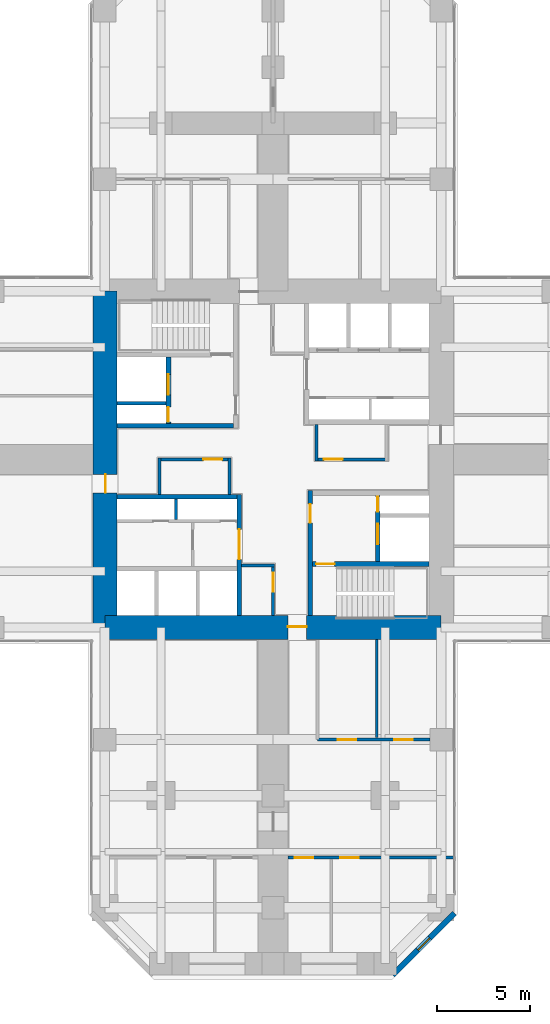
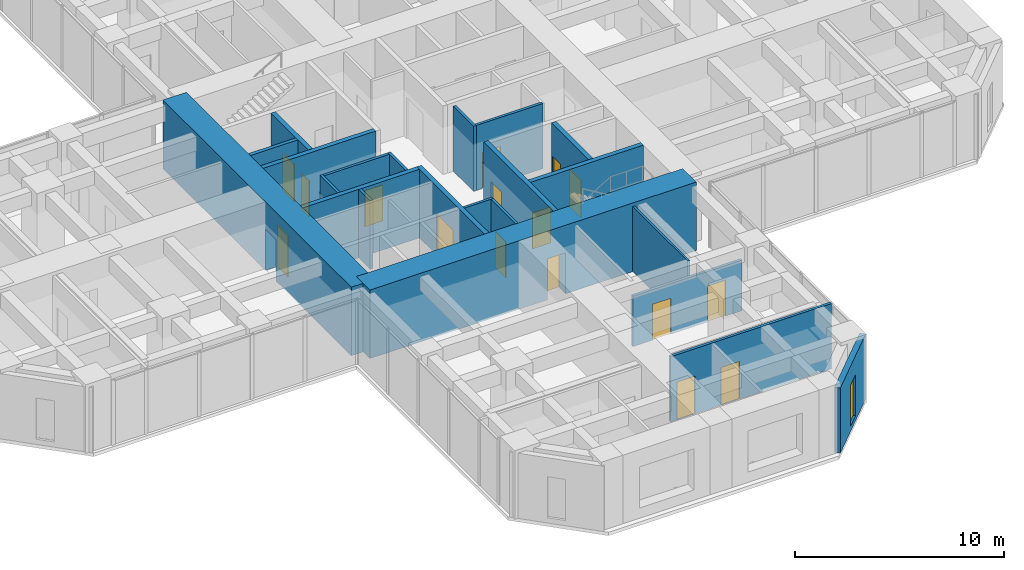
# One storey, part 9 of 13: 22 walls, 16 doors, 1 window, 17 openings.
"""IFC4 building model written with IfcOpenShell, lengths in metres."""

import ifcopenshell
import ifcopenshell.guid

model = None  # the IFC model being written
_history = None  # IfcOwnerHistory: only IFC2X3 demands one
_inside = {}  # id of a spatial element -> (the spatial element, [elements in it])
_under = {}  # id of a project, library or spatial element -> (it, [spatial elements below it])
_declared = {}  # id of a project -> (the project, [libraries it declares])
_typed = {}  # id of a type object -> (the type object, [elements of that type])
_made_of = {}  # id of a material, layer set ... -> (it, [elements and type objects made of it])


def new_model(schema):
    """Start an empty IFC model of exactly this schema.

    Asked for "IFC4X3", IfcOpenShell would pick the latest addendum, in which some entities
    have other attributes; the version numbers below select the first issue.
    IFC2X3 requires an IfcOwnerHistory on every rooted entity: one is made here for all.
    """
    global model, _history
    if schema == "IFC4X3":
        model = ifcopenshell.file(schema_version=(4, 3, 0, 0))
    else:
        model = ifcopenshell.file(schema=schema)
    _inside.clear()
    _under.clear()
    _declared.clear()
    _typed.clear()
    _made_of.clear()
    _history = None
    if model.schema == "IFC2X3":
        org = make("IfcOrganization", Name="unknown")
        user = make(
            "IfcPersonAndOrganization",
            ThePerson=make("IfcPerson", FamilyName="unknown"),
            TheOrganization=org,
        )
        app = make(
            "IfcApplication",
            ApplicationDeveloper=org,
            Version="unknown",
            ApplicationFullName="unknown",
            ApplicationIdentifier="unknown",
        )
        _history = make(
            "IfcOwnerHistory",
            OwningUser=user,
            OwningApplication=app,
            ChangeAction="ADDED",
            CreationDate=0,
        )
    return model


def make(cls, **values):
    """One entity of the class cls with the attributes given. An attribute that is None is left unset."""
    return model.create_entity(
        cls, **{name: value for name, value in values.items() if value is not None}
    )


def rooted(cls, **values):
    """An entity with a GlobalId (a new one), such as an element, a storey or a relation."""
    return make(cls, GlobalId=ifcopenshell.guid.new(), OwnerHistory=_history, **values)


def si_unit(unit_type, name, prefix=None):
    """IfcSIUnit, for example si_unit("LENGTHUNIT", "METRE", prefix="MILLI")."""
    return make("IfcSIUnit", UnitType=unit_type, Prefix=prefix, Name=name)


def assignment(units):
    """IfcUnitAssignment: the units of a project."""
    return None if units is None else make("IfcUnitAssignment", Units=units)


def point(xyz):
    """IfcCartesianPoint."""
    return None if xyz is None else make("IfcCartesianPoint", Coordinates=xyz)


def direction(xyz):
    """IfcDirection."""
    return None if xyz is None else make("IfcDirection", DirectionRatios=xyz)


def frame(location, z_axis=None, x_axis=None):
    """IfcAxis2Placement3D, a coordinate frame: its origin and axes. An axis left out is left unset."""
    return make(
        "IfcAxis2Placement3D",
        Location=point(location),
        Axis=direction(z_axis),
        RefDirection=direction(x_axis),
    )


def frame_2d(location, x_axis=None):
    """IfcAxis2Placement2D, a coordinate frame in the plane: its origin and x axis."""
    return make(
        "IfcAxis2Placement2D", Location=point(location), RefDirection=direction(x_axis)
    )


def origin():
    """The frame at (0, 0, 0) with its axes left unset."""
    return frame((0.0, 0.0, 0.0))


def place(relative_to, where):
    """IfcLocalPlacement: puts the frame where relative to a parent placement (None: the world)."""
    return make(
        "IfcLocalPlacement", PlacementRelTo=relative_to, RelativePlacement=where
    )


def context(
    kind, dimensions, precision=None, world=None, true_north=None, identifier=None
):
    """IfcGeometricRepresentationContext, for example the 3D "Model" context."""
    return make(
        "IfcGeometricRepresentationContext",
        ContextIdentifier=identifier,
        ContextType=kind,
        CoordinateSpaceDimension=dimensions,
        Precision=precision,
        WorldCoordinateSystem=world,
        TrueNorth=true_north,
    )


def subcontext(parent, identifier, kind, view, scale=None):
    """IfcGeometricRepresentationSubContext, for example "Body" below "Model"."""
    return make(
        "IfcGeometricRepresentationSubContext",
        ContextIdentifier=identifier,
        ContextType=kind,
        ParentContext=parent,
        TargetScale=scale,
        TargetView=view,
    )


def project(units=None, contexts=None):
    """IfcProject with its units and contexts."""
    return rooted(
        "IfcProject",
        Name="project",
        RepresentationContexts=contexts,
        UnitsInContext=assignment(units),
    )


def spatial(cls, under=None, at=None, **own):
    """A site, building, storey or space (cls), placed at a placement, below another one or the project."""
    s = rooted(cls, ObjectPlacement=at, **own)
    if under is not None:
        _under.setdefault(under.id(), (under, []))[1].append(s)
    return s


def profile(cls, at=None, kind="AREA", **sizes):
    """A parametric profile (cls). Its sizes go by their IFC names, for example OverallWidth=200.0."""
    return make(cls, ProfileType=kind, Position=at, **sizes)


def rectangle(**sizes):
    """IfcRectangleProfileDef."""
    return profile("IfcRectangleProfileDef", **sizes)


def hollow_rectangle(**sizes):
    """IfcRectangleHollowProfileDef."""
    return profile("IfcRectangleHollowProfileDef", **sizes)


def extrude(swept, where, along, depth):
    """IfcExtrudedAreaSolid: the profile swept, set in the frame where, extruded along a direction by depth."""
    return make(
        "IfcExtrudedAreaSolid",
        SweptArea=swept,
        Position=where,
        ExtrudedDirection=direction(along),
        Depth=depth,
    )


def shape(context_of_items, identifier, shape_type, items):
    """IfcShapeRepresentation: the items that make up one representation, for example the "Body"."""
    return make(
        "IfcShapeRepresentation",
        ContextOfItems=context_of_items,
        RepresentationIdentifier=identifier,
        RepresentationType=shape_type,
        Items=items,
    )


def material(Name=None, Category=None):
    """IfcMaterial."""
    return make("IfcMaterial", Name=Name, Category=Category)


def layer(
    of_material, thickness, ventilated=None, Name=None, Category=None, Priority=None
):
    """IfcMaterialLayer: one layer of a wall or slab, of a material (None: an air gap)."""
    return make(
        "IfcMaterialLayer",
        Material=of_material,
        LayerThickness=thickness,
        IsVentilated=ventilated,
        Name=Name,
        Category=Category,
        Priority=Priority,
    )


def layer_set(layers, Name=None):
    """IfcMaterialLayerSet."""
    return make("IfcMaterialLayerSet", MaterialLayers=layers, LayerSetName=Name)


def constituent(of_material, Name=None, Category=None, fraction=None):
    """IfcMaterialConstituent: one of the materials an element consists of."""
    return make(
        "IfcMaterialConstituent",
        Name=Name,
        Material=of_material,
        Fraction=fraction,
        Category=Category,
    )


def constituent_set(constituents=None, Name=None):
    """IfcMaterialConstituentSet."""
    return make(
        "IfcMaterialConstituentSet", Name=Name, MaterialConstituents=constituents
    )


def made_of(thing, what):
    """Note that an element or type object is made of a material, layer set ...; save() writes the relation."""
    if what is not None:
        _made_of.setdefault(what.id(), (what, []))[1].append(thing)
    return thing


def type_object(cls, material=None, **own):
    """A type object (cls), such as IfcWallType, which elements share."""
    return made_of(rooted(cls, **own), material)


def element(
    cls,
    number,
    at=None,
    inside=None,
    cuts=None,
    type_object=None,
    material=None,
    context=None,
    identifier="Body",
    shape_type=None,
    held_by="IfcProductDefinitionShape",
    body=None,
    shapes=None,
    **own,
):
    """One element of the class cls, such as IfcWall. Its Tag is "e" and its number.

    at: its placement. inside: the storey or other place that contains it. cuts: it is an
    opening in that element (IfcRelVoidsElement). A single representation is given by context,
    identifier, shape_type and body (its items); several are given by shapes. held_by: the class
    of the entity that holds the representations. save() writes the other relations.
    """
    e = rooted(cls, Tag="e%d" % number, ObjectPlacement=at, **own)
    if body is not None:
        shapes = [shape(context, identifier, shape_type, body)]
    if shapes is not None:
        e.Representation = make(held_by, Representations=shapes)
    if inside is not None:
        _inside.setdefault(inside.id(), (inside, []))[1].append(e)
    if cuts is not None:
        rooted(
            "IfcRelVoidsElement", RelatingBuildingElement=cuts, RelatedOpeningElement=e
        )
    if type_object is not None:
        _typed.setdefault(type_object.id(), (type_object, []))[1].append(e)
    return made_of(e, material)


def fill(opening, filler):
    """IfcRelFillsElement: the door or window that sits in an opening."""
    return rooted(
        "IfcRelFillsElement",
        RelatingOpeningElement=opening,
        RelatedBuildingElement=filler,
    )


def aggregate(whole, parts):
    """IfcRelAggregates: a whole, such as a stair, and the parts it consists of."""
    return rooted("IfcRelAggregates", RelatingObject=whole, RelatedObjects=parts)


def save(model, path):
    """Write the relations noted so far, then the file.

    IfcRelAggregates (storeys below a building ...), IfcRelContainedInSpatialStructure (elements
    in a storey), IfcRelDefinesByType, IfcRelAssociatesMaterial and IfcRelDeclares: one each for
    every whole, place, type object, material and project.
    """
    for whole, parts in _under.values():
        aggregate(whole, parts)
    for where, things in _inside.values():
        rooted(
            "IfcRelContainedInSpatialStructure",
            RelatedElements=things,
            RelatingStructure=where,
        )
    for kind, things in _typed.values():
        rooted("IfcRelDefinesByType", RelatedObjects=things, RelatingType=kind)
    for what, things in _made_of.values():
        rooted("IfcRelAssociatesMaterial", RelatedObjects=things, RelatingMaterial=what)
    for by, libraries in _declared.values():
        rooted("IfcRelDeclares", RelatingContext=by, RelatedDefinitions=libraries)
    model.write(path)


model = new_model("IFC4")

# Units and contexts
model_context = context("Model", 3, precision=1e-05, world=origin(), true_north=direction((0.0, 1.0)))
body_context = subcontext(model_context, "Body", "Model", "MODEL_VIEW")
ifc_project = project(units=[si_unit("LENGTHUNIT", "METRE"), si_unit("AREAUNIT", "SQUARE_METRE"), si_unit("VOLUMEUNIT", "CUBIC_METRE"), si_unit("PLANEANGLEUNIT", "RADIAN"), si_unit("MASSUNIT", "GRAM", prefix="KILO")], contexts=[model_context])

# Site, building, storey
site_placement = place(None, origin())
site = spatial("IfcSite", under=ifc_project, at=site_placement, CompositionType="ELEMENT")
building_placement = place(site_placement, origin())
building = spatial("IfcBuilding", under=site, at=building_placement, Name="Torre Cruceta", CompositionType="ELEMENT")
storey_placement = place(building_placement, frame((0.0, 0.0, 23.5)))
storey = spatial("IfcBuildingStorey", under=building, at=storey_placement, Name="L05", CompositionType="ELEMENT", Elevation=23.5)

# Wall
ifc_material_1 = material(Name="Concrete G60 (fck 60 MPa)", Category="concrete")
ifc_layer_1 = layer(ifc_material_1, 0.25)
ifc_layer_set_1 = layer_set([ifc_layer_1], Name="Concrete G60 (fck 60 MPa)")
wall_type_1 = type_object("IfcWallType", Name="CORE INNER WALL 250 G60", PredefinedType="SHEAR", material=ifc_layer_set_1)
wall_1_placement = place(storey_placement, frame((-2.125, 1.800048828125, 0.0), z_axis=(0.0, 0.0, 1.0), x_axis=(-1.0, 0.0, 0.0)))
element("IfcWall", 1, at=wall_1_placement, inside=storey, type_object=wall_type_1, Name="CW4 L05 NW-CV", PredefinedType="SHEAR", context=body_context, shape_type="SweptSolid", body=[
    extrude(rectangle(XDim=6.22509765625, YDim=0.25, at=frame_2d((3.112548828125, 0.0))), origin(), (0.0, 0.0, 1.0), 4.0),
])

# Wall, openings, doors
wall_2_placement = place(storey_placement, frame((-5.60009765625, 1.925048828125, 0.0), z_axis=(0.0, 0.0, 1.0), x_axis=(0.0, 1.0, 0.0)))
wall_2 = element("IfcWall", 2, at=wall_2_placement, inside=storey, type_object=wall_type_1, Name="CW4 L05 NW-FU", PredefinedType="SHEAR", context=body_context, shape_type="SweptSolid", body=[
    extrude(rectangle(XDim=3.550048828125, YDim=0.25, at=frame_2d((1.77490234375, 0.0))), origin(), (0.0, 0.0, 1.0), 4.0),
])
opening_1_placement = place(wall_2_placement, frame((1.52490234375, 0.0, 0.0)))
opening_1 = element("IfcOpeningElement", 3, at=opening_1_placement, cuts=wall_2, Name="Opening LD1", PredefinedType="OPENING", context=body_context, shape_type="SweptSolid", body=[
    extrude(rectangle(XDim=1.10009765625, YDim=2.199951171875, at=frame_2d((0.550048828125, 1.10009765625))), frame((0.0, 0.135009765625, 0.0), z_axis=(0.0, -1.0, 0.0), x_axis=(1.0, 0.0, 0.0)), (0.0, 0.0, 1.0), 0.27001953125),
])
opening_2_placement = place(wall_2_placement, frame((0.074951171875, 0.0, 0.0)))
opening_2 = element("IfcOpeningElement", 4, at=opening_2_placement, cuts=wall_2, Name="Opening D5", PredefinedType="OPENING", context=body_context, shape_type="SweptSolid", body=[
    extrude(rectangle(XDim=0.800048828125, YDim=2.10009765625, at=frame_2d((0.39990234375, 1.050048828125))), frame((0.0, 0.135009765625, 0.0), z_axis=(0.0, -1.0, 0.0), x_axis=(1.0, 0.0, 0.0)), (0.0, 0.0, 1.0), 0.27001953125),
])
ifc_material_2 = material(Name="Stainless steel 1.4401", Category="steel")
door_type_1 = type_object("IfcDoorType", Name="LIFT LANDING DOOR 1100X2200", OperationType="DOUBLE_DOOR_SLIDING", PredefinedType="DOOR", material=ifc_material_2)
door_1_placement = place(opening_1_placement, origin())
door_1 = element("IfcDoor", 5, at=door_1_placement, inside=storey, type_object=door_type_1, Name="Lift landing door FL1", OperationType="DOUBLE_DOOR_SLIDING", OverallHeight=2.199951171875, OverallWidth=1.10009765625, PredefinedType="DOOR", context=body_context, shape_type="SweptSolid", body=[
    extrude(rectangle(XDim=1.10009765625, YDim=2.199951171875, at=frame_2d((0.550048828125, 1.10009765625))), frame((0.0, 0.02490234375, 0.0), z_axis=(0.0, -1.0, 0.0), x_axis=(1.0, 0.0, 0.0)), (0.0, 0.0, 1.0), 0.050048828125),
])
fill(opening_1, door_1)
ifc_material_3 = material(Name="Steel DX51D", Category="steel")
ifc_constituent_1 = constituent(ifc_material_3, Name="Leaf and frame")
ifc_material_4 = material(Name="Polyester powder coating", Category="paint")
ifc_constituent_2 = constituent(ifc_material_4, Name="Finish")
ifc_constituent_set_1 = constituent_set(constituents=[ifc_constituent_1, ifc_constituent_2], Name="Steel fire door")
door_type_2 = type_object("IfcDoorType", Name="RISER ACCESS DOOR 800X2100", OperationType="SINGLE_SWING_LEFT", PredefinedType="DOOR", material=ifc_constituent_set_1)
door_2_placement = place(opening_2_placement, origin())
door_2 = element("IfcDoor", 6, at=door_2_placement, inside=storey, type_object=door_type_2, Name="D5 L05 NW-RISER", OperationType="SINGLE_SWING_LEFT", OverallHeight=2.10009765625, OverallWidth=0.800048828125, PredefinedType="DOOR", context=body_context, shape_type="SweptSolid", body=[
    extrude(rectangle(XDim=0.800048828125, YDim=2.10009765625, at=frame_2d((0.39990234375, 1.050048828125))), frame((0.0, 0.02490234375, 0.0), z_axis=(0.0, -1.0, 0.0), x_axis=(1.0, 0.0, 0.0)), (0.0, 0.0, 1.0), 0.050048828125),
])
fill(opening_2, door_2)

# Wall, opening, door
wall_3_placement = place(storey_placement, frame((-1.800048828125, -1.875, 0.0), z_axis=(0.0, 0.0, 1.0), x_axis=(0.0, -1.0, 0.0)))
wall_3 = element("IfcWall", 7, at=wall_3_placement, inside=storey, type_object=wall_type_1, Name="CW4 L05 SW-CU", PredefinedType="SHEAR", context=body_context, shape_type="SweptSolid", body=[
    extrude(rectangle(XDim=6.47509765625, YDim=0.25, at=frame_2d((3.237548828125, 0.0))), origin(), (0.0, 0.0, 1.0), 4.0),
])
opening_3_placement = place(wall_3_placement, frame((1.875, 0.0, 0.0)))
opening_3 = element("IfcOpeningElement", 8, at=opening_3_placement, cuts=wall_3, Name="Opening D15", PredefinedType="OPENING", context=body_context, shape_type="SweptSolid", body=[
    extrude(rectangle(XDim=1.60009765625, YDim=2.39990234375, at=frame_2d((0.800048828125, 1.199951171875))), frame((0.0, 0.135009765625, 0.0), z_axis=(0.0, -1.0, 0.0), x_axis=(1.0, 0.0, 0.0)), (0.0, 0.0, 1.0), 0.27001953125),
])
ifc_material_5 = material(Name="Steel DX51D", Category="steel")
ifc_constituent_3 = constituent(ifc_material_5, Name="Leaf and frame")
ifc_material_6 = material(Name="Polyester powder coating", Category="paint")
ifc_constituent_4 = constituent(ifc_material_6, Name="Finish")
ifc_constituent_set_2 = constituent_set(constituents=[ifc_constituent_3, ifc_constituent_4], Name="Steel fire door")
door_type_3 = type_object("IfcDoorType", Name="CORE ROOM DOUBLE DOOR 1600X2400", OperationType="DOUBLE_DOOR_SINGLE_SWING", PredefinedType="DOOR", material=ifc_constituent_set_2)
door_3_placement = place(opening_3_placement, frame((1.60009765625, 0.0, 0.0), z_axis=(0.0, 0.0, 1.0), x_axis=(-1.0, 0.0, 0.0)))
door_3 = element("IfcDoor", 9, at=door_3_placement, inside=storey, type_object=door_type_3, Name="D15 L05 SW-LOBBY", OperationType="DOUBLE_DOOR_SINGLE_SWING", OverallHeight=2.39990234375, OverallWidth=1.60009765625, PredefinedType="DOOR", context=body_context, shape_type="SweptSolid", body=[
    extrude(rectangle(XDim=1.60009765625, YDim=2.39990234375, at=frame_2d((0.800048828125, 1.199951171875))), frame((0.0, 0.025146484375, 0.0), z_axis=(0.0, -1.0, 0.0), x_axis=(1.0, 0.0, 0.0)), (0.0, 0.0, 1.0), 0.050048828125),
])
fill(opening_3, door_3)

# Wall
wall_4_placement = place(storey_placement, frame((-1.925048828125, -2.0, 0.0), z_axis=(0.0, 0.0, 1.0), x_axis=(-1.0, 0.0, 0.0)))
element("IfcWall", 10, at=wall_4_placement, inside=storey, type_object=wall_type_1, Name="CW4 L05 SW-CV", PredefinedType="SHEAR", context=body_context, shape_type="SweptSolid", body=[
    extrude(rectangle(XDim=6.425048828125, YDim=0.25, at=frame_2d((3.21240234375, 0.0))), origin(), (0.0, 0.0, 1.0), 4.0),
])

# Wall, opening, door
wall_5_placement = place(storey_placement, frame((2.0, -1.675048828125, 0.0), z_axis=(0.0, 0.0, 1.0), x_axis=(0.0, -1.0, 0.0)))
wall_5 = element("IfcWall", 11, at=wall_5_placement, inside=storey, type_object=wall_type_1, Name="CW4 L05 SE-CU", PredefinedType="SHEAR", context=body_context, shape_type="SweptSolid", body=[
    extrude(rectangle(XDim=6.675048828125, YDim=0.25, at=frame_2d((3.33740234375, 0.0))), origin(), (0.0, 0.0, 1.0), 4.0),
])
opening_4_placement = place(wall_5_placement, frame((0.72509765625, 0.0, 0.0)))
opening_4 = element("IfcOpeningElement", 12, at=opening_4_placement, cuts=wall_5, Name="Opening D3", PredefinedType="OPENING", context=body_context, shape_type="SweptSolid", body=[
    extrude(rectangle(XDim=1.0, YDim=2.10009765625, at=frame_2d((0.5, 1.050048828125))), frame((0.0, 0.135009765625, 0.0), z_axis=(0.0, -1.0, 0.0), x_axis=(1.0, 0.0, 0.0)), (0.0, 0.0, 1.0), 0.27001953125),
])
ifc_material_7 = material(Name="Steel DX51D", Category="steel")
ifc_constituent_5 = constituent(ifc_material_7, Name="Leaf and frame")
ifc_material_8 = material(Name="Polyester powder coating", Category="paint")
ifc_constituent_6 = constituent(ifc_material_8, Name="Finish")
ifc_constituent_set_3 = constituent_set(constituents=[ifc_constituent_5, ifc_constituent_6], Name="Steel fire door")
door_type_4 = type_object("IfcDoorType", Name="FIRE DOOR 1000X2100", OperationType="SINGLE_SWING_LEFT", PredefinedType="DOOR", material=ifc_constituent_set_3)
door_4_placement = place(opening_4_placement, origin())
door_4 = element("IfcDoor", 13, at=door_4_placement, inside=storey, type_object=door_type_4, Name="D3 L05 SE-LOBBY", OperationType="SINGLE_SWING_LEFT", OverallHeight=2.10009765625, OverallWidth=1.0, PredefinedType="DOOR", context=body_context, shape_type="SweptSolid", body=[
    extrude(rectangle(XDim=1.0, YDim=2.10009765625, at=frame_2d((0.5, 1.050048828125))), frame((0.0, 0.02490234375, 0.0), z_axis=(0.0, -1.0, 0.0), x_axis=(1.0, 0.0, 0.0)), (0.0, 0.0, 1.0), 0.050048828125),
])
fill(opening_4, door_4)

wall_6_placement = place(storey_placement, frame((2.125, -5.60009765625, 0.0), z_axis=(0.0, 0.0, 1.0), x_axis=(1.0, 0.0, 0.0)))
wall_6 = element("IfcWall", 14, at=wall_6_placement, inside=storey, type_object=wall_type_1, Name="CW4 L05 SE-SV", PredefinedType="SHEAR", context=body_context, shape_type="SweptSolid", body=[
    extrude(rectangle(XDim=6.22509765625, YDim=0.25, at=frame_2d((3.112548828125, 0.0))), origin(), (0.0, 0.0, 1.0), 4.0),
])
opening_5_placement = place(wall_6_placement, frame((0.175048828125, 0.0, 0.0)))
opening_5 = element("IfcOpeningElement", 15, at=opening_5_placement, cuts=wall_6, Name="Opening D3", PredefinedType="OPENING", context=body_context, shape_type="SweptSolid", body=[
    extrude(rectangle(XDim=1.0, YDim=2.10009765625, at=frame_2d((0.5, 1.050048828125))), frame((0.0, 0.135009765625, 0.0), z_axis=(0.0, -1.0, 0.0), x_axis=(1.0, 0.0, 0.0)), (0.0, 0.0, 1.0), 0.27001953125),
])
door_5_placement = place(opening_5_placement, frame((1.0, 0.0, 0.0), z_axis=(0.0, 0.0, 1.0), x_axis=(-1.0, 0.0, 0.0)))
door_5 = element("IfcDoor", 16, at=door_5_placement, inside=storey, type_object=door_type_4, Name="D3 L05 SE-STAIR", OperationType="SINGLE_SWING_RIGHT", OverallHeight=2.10009765625, OverallWidth=1.0, PredefinedType="DOOR", context=body_context, shape_type="SweptSolid", body=[
    extrude(rectangle(XDim=1.0, YDim=2.10009765625, at=frame_2d((0.5, 1.050048828125))), frame((0.0, 0.025146484375, 0.0), z_axis=(0.0, -1.0, 0.0), x_axis=(1.0, 0.0, 0.0)), (0.0, 0.0, 1.0), 0.050048828125),
])
fill(opening_5, door_5)

# Wall, openings, doors
wall_7_placement = place(storey_placement, frame((5.60009765625, -1.925048828125, 0.0), z_axis=(0.0, 0.0, 1.0), x_axis=(0.0, -1.0, 0.0)))
wall_7 = element("IfcWall", 17, at=wall_7_placement, inside=storey, type_object=wall_type_1, Name="CW4 L05 SE-FU", PredefinedType="SHEAR", context=body_context, shape_type="SweptSolid", body=[
    extrude(rectangle(XDim=3.550048828125, YDim=0.25, at=frame_2d((1.77490234375, 0.0))), origin(), (0.0, 0.0, 1.0), 4.0),
])
opening_6_placement = place(wall_7_placement, frame((1.52490234375, 0.0, 0.0)))
opening_6 = element("IfcOpeningElement", 18, at=opening_6_placement, cuts=wall_7, Name="Opening LD1", PredefinedType="OPENING", context=body_context, shape_type="SweptSolid", body=[
    extrude(rectangle(XDim=1.10009765625, YDim=2.199951171875, at=frame_2d((0.550048828125, 1.10009765625))), frame((0.0, 0.135009765625, 0.0), z_axis=(0.0, -1.0, 0.0), x_axis=(1.0, 0.0, 0.0)), (0.0, 0.0, 1.0), 0.27001953125),
])
opening_7_placement = place(wall_7_placement, frame((0.074951171875, 0.0, 0.0)))
opening_7 = element("IfcOpeningElement", 19, at=opening_7_placement, cuts=wall_7, Name="Opening D5", PredefinedType="OPENING", context=body_context, shape_type="SweptSolid", body=[
    extrude(rectangle(XDim=0.800048828125, YDim=2.10009765625, at=frame_2d((0.39990234375, 1.050048828125))), frame((0.0, 0.135009765625, 0.0), z_axis=(0.0, -1.0, 0.0), x_axis=(1.0, 0.0, 0.0)), (0.0, 0.0, 1.0), 0.27001953125),
])
door_6_placement = place(opening_6_placement, origin())
door_6 = element("IfcDoor", 20, at=door_6_placement, inside=storey, type_object=door_type_1, Name="Lift landing door FL2", OperationType="DOUBLE_DOOR_SLIDING", OverallHeight=2.199951171875, OverallWidth=1.10009765625, PredefinedType="DOOR", context=body_context, shape_type="SweptSolid", body=[
    extrude(rectangle(XDim=1.10009765625, YDim=2.199951171875, at=frame_2d((0.550048828125, 1.10009765625))), frame((0.0, 0.02490234375, 0.0), z_axis=(0.0, -1.0, 0.0), x_axis=(1.0, 0.0, 0.0)), (0.0, 0.0, 1.0), 0.050048828125),
])
fill(opening_6, door_6)
door_7_placement = place(opening_7_placement, origin())
door_7 = element("IfcDoor", 21, at=door_7_placement, inside=storey, type_object=door_type_2, Name="D5 L05 SE-RISER", OperationType="SINGLE_SWING_LEFT", OverallHeight=2.10009765625, OverallWidth=0.800048828125, PredefinedType="DOOR", context=body_context, shape_type="SweptSolid", body=[
    extrude(rectangle(XDim=0.800048828125, YDim=2.10009765625, at=frame_2d((0.39990234375, 1.050048828125))), frame((0.0, 0.02490234375, 0.0), z_axis=(0.0, -1.0, 0.0), x_axis=(1.0, 0.0, 0.0)), (0.0, 0.0, 1.0), 0.050048828125),
])
fill(opening_7, door_7)

# Wall, opening, door
ifc_material_9 = material(Name="Concrete G60 (fck 60 MPa)", Category="concrete")
ifc_layer_2 = layer(ifc_material_9, 1.300048828125)
ifc_layer_set_2 = layer_set([ifc_layer_2], Name="Concrete G60 (fck 60 MPa)")
wall_type_2 = type_object("IfcWallType", Name="CORE WALL 1300 G60", PredefinedType="SHEAR", material=ifc_layer_set_2)
wall_8_placement = place(storey_placement, frame((-9.0, -9.0, 0.0), z_axis=(0.0, 0.0, 1.0), x_axis=(1.0, 0.0, 0.0)))
wall_8 = element("IfcWall", 22, at=wall_8_placement, inside=storey, type_object=wall_type_2, Name="CW1 L05 CW-S", PredefinedType="SHEAR", context=body_context, shape_type="SweptSolid", body=[
    extrude(rectangle(XDim=18.0, YDim=1.300048828125, at=frame_2d((9.0, 0.0))), origin(), (0.0, 0.0, 1.0), 4.0),
])
opening_8_placement = place(wall_8_placement, frame((9.800048828125, 0.0, 0.0)))
opening_8 = element("IfcOpeningElement", 23, at=opening_8_placement, cuts=wall_8, Name="Opening D4", PredefinedType="OPENING", context=body_context, shape_type="SweptSolid", body=[
    extrude(rectangle(XDim=1.0, YDim=2.39990234375, at=frame_2d((0.5, 1.199951171875))), frame((0.0, 0.659912109375, 0.0), z_axis=(0.0, -1.0, 0.0), x_axis=(1.0, 0.0, 0.0)), (0.0, 0.0, 1.0), 1.320068359375),
])
ifc_material_10 = material(Name="Steel DX51D", Category="steel")
ifc_constituent_7 = constituent(ifc_material_10, Name="Leaf and frame")
ifc_material_11 = material(Name="Polyester powder coating", Category="paint")
ifc_constituent_8 = constituent(ifc_material_11, Name="Finish")
ifc_constituent_set_4 = constituent_set(constituents=[ifc_constituent_7, ifc_constituent_8], Name="Steel fire door")
door_type_5 = type_object("IfcDoorType", Name="CORE ARM DOOR 1000X2400", OperationType="SINGLE_SWING_RIGHT", PredefinedType="DOOR", material=ifc_constituent_set_4)
door_8_placement = place(opening_8_placement, frame((1.0, 0.0, 0.0), z_axis=(0.0, 0.0, 1.0), x_axis=(-1.0, 0.0, 0.0)))
door_8 = element("IfcDoor", 24, at=door_8_placement, inside=storey, type_object=door_type_5, Name="D4 L05 CW-S", OperationType="SINGLE_SWING_RIGHT", OverallHeight=2.39990234375, OverallWidth=1.0, PredefinedType="DOOR", context=body_context, shape_type="SweptSolid", body=[
    extrude(rectangle(XDim=1.0, YDim=2.39990234375, at=frame_2d((0.5, 1.199951171875))), frame((0.0, -0.005126953125, 0.0), z_axis=(0.0, -1.0, 0.0), x_axis=(1.0, 0.0, 0.0)), (0.0, 0.0, 1.0), 0.050048828125),
])
fill(opening_8, door_8)

wall_9_placement = place(storey_placement, frame((-9.0, 9.0, 0.0), z_axis=(0.0, 0.0, 1.0), x_axis=(0.0, -1.0, 0.0)))
wall_9 = element("IfcWall", 25, at=wall_9_placement, inside=storey, type_object=wall_type_2, Name="CW1 L05 CW-W", PredefinedType="SHEAR", context=body_context, shape_type="SweptSolid", body=[
    extrude(rectangle(XDim=18.0, YDim=1.300048828125, at=frame_2d((9.0, 0.0))), origin(), (0.0, 0.0, 1.0), 4.0),
])
opening_9_placement = place(wall_9_placement, frame((9.800048828125, 0.0, 0.0)))
opening_9 = element("IfcOpeningElement", 26, at=opening_9_placement, cuts=wall_9, Name="Opening D4", PredefinedType="OPENING", context=body_context, shape_type="SweptSolid", body=[
    extrude(rectangle(XDim=1.0, YDim=2.39990234375, at=frame_2d((0.5, 1.199951171875))), frame((0.0, 0.659912109375, 0.0), z_axis=(0.0, -1.0, 0.0), x_axis=(1.0, 0.0, 0.0)), (0.0, 0.0, 1.0), 1.320068359375),
])
door_9_placement = place(opening_9_placement, frame((1.0, 0.0, 0.0), z_axis=(0.0, 0.0, 1.0), x_axis=(-1.0, 0.0, 0.0)))
door_9 = element("IfcDoor", 27, at=door_9_placement, inside=storey, type_object=door_type_5, Name="D4 L05 CW-W", OperationType="SINGLE_SWING_RIGHT", OverallHeight=2.39990234375, OverallWidth=1.0, PredefinedType="DOOR", context=body_context, shape_type="SweptSolid", body=[
    extrude(rectangle(XDim=1.0, YDim=2.39990234375, at=frame_2d((0.5, 1.199951171875))), frame((0.0, -0.005126953125, 0.0), z_axis=(0.0, -1.0, 0.0), x_axis=(1.0, 0.0, 0.0)), (0.0, 0.0, 1.0), 0.050048828125),
])
fill(opening_9, door_9)

# Wall, opening, window
ifc_material_12 = material(Name="Concrete G30 (fck 30 MPa)", Category="concrete")
ifc_layer_3 = layer(ifc_material_12, 0.300048828125)
ifc_layer_set_3 = layer_set([ifc_layer_3], Name="Concrete G30 (fck 30 MPa)")
wall_type_3 = type_object("IfcWallType", Name="EXPOSED CONCRETE FACADE WALL 300", PredefinedType="SOLIDWALL", material=ifc_layer_set_3)
wall_10_placement = place(storey_placement, frame((6.418212890625, -27.60009765625, 0.0), z_axis=(0.0, 0.0, 1.0), x_axis=(0.707106781187, 0.707106781187, 0.0)))
wall_10 = element("IfcWall", 28, at=wall_10_placement, inside=storey, type_object=wall_type_3, Name="EW1 facade wall L05 S chamfer 18", PredefinedType="SOLIDWALL", context=body_context, shape_type="SweptSolid", body=[
    extrude(rectangle(XDim=4.66943359375, YDim=0.300048828125, at=frame_2d((2.334716796875, 0.0))), origin(), (0.0, 0.0, 1.0), 3.800048828125),
])
opening_10_placement = place(wall_10_placement, frame((1.884765625, 0.0, 0.300048828125)))
opening_10 = element("IfcOpeningElement", 29, at=opening_10_placement, cuts=wall_10, Name="Opening WN5", PredefinedType="OPENING", context=body_context, shape_type="SweptSolid", body=[
    extrude(rectangle(XDim=0.89990234375, YDim=2.39990234375, at=frame_2d((0.449951171875, 1.199951171875))), frame((0.0, 0.159912109375, 0.0), z_axis=(0.0, -1.0, 0.0), x_axis=(1.0, 0.0, 0.0)), (0.0, 0.0, 1.0), 0.320068359375),
])
ifc_material_13 = material(Name="Aluminium window frame", Category="aluminium")
ifc_constituent_9 = constituent(ifc_material_13, Name="Frame")
ifc_material_14 = material(Name="Laminated insulating glass unit, low-iron clear", Category="glass")
ifc_constituent_10 = constituent(ifc_material_14, Name="Glazing")
ifc_constituent_set_5 = constituent_set(constituents=[ifc_constituent_9, ifc_constituent_10], Name="Aluminium window")
window_type = type_object("IfcWindowType", Name="CHAMFER SLOT WINDOW 900X2400", PartitioningType="SINGLE_PANEL", PredefinedType="WINDOW", material=ifc_constituent_set_5)
window_placement = place(opening_10_placement, origin())
window = element("IfcWindow", 30, at=window_placement, inside=storey, type_object=window_type, Name="WN5 L05 S 1", OverallHeight=2.39990234375, OverallWidth=0.89990234375, PartitioningType="SINGLE_PANEL", PredefinedType="WINDOW", context=body_context, shape_type="SweptSolid", body=[
    extrude(hollow_rectangle(XDim=0.89990234375, YDim=2.39990234375, WallThickness=0.06005859375, at=frame_2d((0.449951171875, 1.199951171875))), frame((0.0, 0.030029296875, 0.0), z_axis=(0.0, -1.0, 0.0), x_axis=(1.0, 0.0, 0.0)), (0.0, 0.0, 1.0), 0.06005859375),
    extrude(rectangle(XDim=0.77880859375, YDim=2.27880859375, at=frame_2d((0.449951171875, 1.199951171875))), frame((0.0, 0.030029296875, 0.0), z_axis=(0.0, -1.0, 0.0), x_axis=(1.0, 0.0, 0.0)), (0.0, 0.0, 1.0), 0.06005859375),
])
fill(opening_10, window)

# Wall
ifc_material_15 = material(Name="Concrete G35 (fck 35 MPa)", Category="concrete")
ifc_layer_4 = layer(ifc_material_15, 0.199951171875)
ifc_layer_set_4 = layer_set([ifc_layer_4], Name="Concrete G35 (fck 35 MPa)")
wall_type_4 = type_object("IfcWallType", Name="LIFT SHAFT WALL 200", PredefinedType="PARTITIONING", material=ifc_layer_set_4)
wall_11_placement = place(storey_placement, frame((-5.72509765625, 3.0, 0.0), z_axis=(0.0, 0.0, 1.0), x_axis=(-1.0, 0.0, 0.0)))
element("IfcWall", 31, at=wall_11_placement, inside=storey, type_object=wall_type_4, Name="SW1 L05 NW-FR", PredefinedType="PARTITIONING", context=body_context, shape_type="SweptSolid", body=[
    extrude(rectangle(XDim=2.625, YDim=0.199951171875, at=frame_2d((1.3125, 0.0))), origin(), (0.0, 0.0, 1.0), 4.0),
])

# Wall, opening, door
ifc_material_16 = material(Name="Plasterboard on steel studs", Category="steel")
ifc_layer_5 = layer(ifc_material_16, 0.14990234375)
ifc_layer_set_5 = layer_set([ifc_layer_5], Name="Plasterboard on steel studs")
wall_type_5 = type_object("IfcWallType", Name="PARTITION 150", PredefinedType="PARTITIONING", material=ifc_layer_set_5)
wall_12_placement = place(storey_placement, frame((2.324951171875, 0.0, 0.0), z_axis=(0.0, 0.0, 1.0), x_axis=(1.0, 0.0, 0.0)))
wall_12 = element("IfcWall", 32, at=wall_12_placement, inside=storey, type_object=wall_type_5, Name="PT1 L05-CORE-LEGE-N-W1", PredefinedType="PARTITIONING", context=body_context, shape_type="SweptSolid", body=[
    extrude(rectangle(XDim=3.75, YDim=0.14990234375, at=frame_2d((1.875, 0.0))), origin(), (0.0, 0.0, 1.0), 3.800048828125),
])
opening_11_placement = place(wall_12_placement, frame((0.39990234375, 0.0, 0.0)))
opening_11 = element("IfcOpeningElement", 33, at=opening_11_placement, cuts=wall_12, Name="Opening D3", PredefinedType="OPENING", context=body_context, shape_type="SweptSolid", body=[
    extrude(rectangle(XDim=1.0, YDim=2.10009765625, at=frame_2d((0.5, 1.050048828125))), frame((0.0, 0.0849609375, 0.0), z_axis=(0.0, -1.0, 0.0), x_axis=(1.0, 0.0, 0.0)), (0.0, 0.0, 1.0), 0.169921875),
])
door_10_placement = place(opening_11_placement, origin())
door_10 = element("IfcDoor", 34, at=door_10_placement, inside=storey, type_object=door_type_4, Name="D3 L05-CORE-LEGE-N-W1-D1", OperationType="SINGLE_SWING_LEFT", OverallHeight=2.10009765625, OverallWidth=1.0, PredefinedType="DOOR", context=body_context, shape_type="SweptSolid", body=[
    extrude(rectangle(XDim=1.0, YDim=2.10009765625, at=frame_2d((0.5, 1.050048828125))), frame((0.0, 0.02490234375, 0.0), z_axis=(0.0, -1.0, 0.0), x_axis=(1.0, 0.0, 0.0)), (0.0, 0.0, 1.0), 0.050048828125),
])
fill(opening_11, door_10)

# Wall
wall_13_placement = place(storey_placement, frame((2.324951171875, 1.875, 0.0), z_axis=(0.0, 0.0, 1.0), x_axis=(0.0, -1.0, 0.0)))
element("IfcWall", 35, at=wall_13_placement, inside=storey, type_object=wall_type_5, Name="PT1 L05-CORE-LEGE-N-W2", PredefinedType="PARTITIONING", context=body_context, shape_type="SweptSolid", body=[
    extrude(rectangle(XDim=1.949951171875, YDim=0.14990234375, at=frame_2d((0.97509765625, 0.0))), origin(), (0.0, 0.0, 1.0), 3.800048828125),
])

# Wall, opening, door
wall_14_placement = place(storey_placement, frame((-2.324951171875, 0.0, 0.0), z_axis=(0.0, 0.0, 1.0), x_axis=(-1.0, 0.0, 0.0)))
wall_14 = element("IfcWall", 36, at=wall_14_placement, inside=storey, type_object=wall_type_5, Name="PT1 L05-CORE-LEGW-S-W1", PredefinedType="PARTITIONING", context=body_context, shape_type="SweptSolid", body=[
    extrude(rectangle(XDim=3.75, YDim=0.14990234375, at=frame_2d((1.875, 0.0))), origin(), (0.0, 0.0, 1.0), 3.800048828125),
])
opening_12_placement = place(wall_14_placement, frame((0.39990234375, 0.0, 0.0)))
opening_12 = element("IfcOpeningElement", 37, at=opening_12_placement, cuts=wall_14, Name="Opening D3", PredefinedType="OPENING", context=body_context, shape_type="SweptSolid", body=[
    extrude(rectangle(XDim=1.0, YDim=2.10009765625, at=frame_2d((0.5, 1.050048828125))), frame((0.0, 0.0849609375, 0.0), z_axis=(0.0, -1.0, 0.0), x_axis=(1.0, 0.0, 0.0)), (0.0, 0.0, 1.0), 0.169921875),
])
door_11_placement = place(opening_12_placement, origin())
door_11 = element("IfcDoor", 38, at=door_11_placement, inside=storey, type_object=door_type_4, Name="D3 L05-CORE-LEGW-S-W1-D1", OperationType="SINGLE_SWING_LEFT", OverallHeight=2.10009765625, OverallWidth=1.0, PredefinedType="DOOR", context=body_context, shape_type="SweptSolid", body=[
    extrude(rectangle(XDim=1.0, YDim=2.10009765625, at=frame_2d((0.5, 1.050048828125))), frame((0.0, 0.02490234375, 0.0), z_axis=(0.0, -1.0, 0.0), x_axis=(1.0, 0.0, 0.0)), (0.0, 0.0, 1.0), 0.050048828125),
])
fill(opening_12, door_11)

# Walls
for number, where, z_axis, x_axis, name in (
    (39, (-2.324951171875, -1.875, 0.0), (0.0, 0.0, 1.0), (0.0, 1.0, 0.0), "PT1 L05-CORE-LEGW-S-W2"),
    (40, (-6.074951171875, 0.074951171875, 0.0), (0.0, 0.0, 1.0), (0.0, -1.0, 0.0), "PT1 L05-CORE-LEGW-S-W3"),
):
    element("IfcWall", number, at=place(storey_placement, frame(where, z_axis=z_axis, x_axis=x_axis)), inside=storey, type_object=wall_type_5, Name=name, PredefinedType="PARTITIONING", context=body_context, shape_type="SweptSolid", body=[
        extrude(rectangle(XDim=1.949951171875, YDim=0.14990234375, at=frame_2d((0.97509765625, 0.0))), origin(), (0.0, 0.0, 1.0), 3.800048828125),
    ])

# Wall, opening, door
wall_15_placement = place(storey_placement, frame((0.0, -5.675048828125, 0.0), z_axis=(0.0, 0.0, 1.0), x_axis=(0.0, -1.0, 0.0)))
wall_15 = element("IfcWall", 41, at=wall_15_placement, inside=storey, type_object=wall_type_5, Name="PT1 L05-CORE-LEGS-W-W1", PredefinedType="PARTITIONING", context=body_context, shape_type="SweptSolid", body=[
    extrude(rectangle(XDim=2.675048828125, YDim=0.14990234375, at=frame_2d((1.33740234375, 0.0))), origin(), (0.0, 0.0, 1.0), 3.800048828125),
])
opening_13_placement = place(wall_15_placement, frame((0.39990234375, 0.0, 0.0)))
opening_13 = element("IfcOpeningElement", 42, at=opening_13_placement, cuts=wall_15, Name="Opening D3", PredefinedType="OPENING", context=body_context, shape_type="SweptSolid", body=[
    extrude(rectangle(XDim=1.0, YDim=2.10009765625, at=frame_2d((0.5, 1.050048828125))), frame((0.0, 0.0849609375, 0.0), z_axis=(0.0, -1.0, 0.0), x_axis=(1.0, 0.0, 0.0)), (0.0, 0.0, 1.0), 0.169921875),
])
door_12_placement = place(opening_13_placement, frame((1.0, 0.0, 0.0), z_axis=(0.0, 0.0, 1.0), x_axis=(-1.0, 0.0, 0.0)))
door_12 = element("IfcDoor", 43, at=door_12_placement, inside=storey, type_object=door_type_4, Name="D3 L05-CORE-LEGS-W-W1-D1", OperationType="SINGLE_SWING_RIGHT", OverallHeight=2.10009765625, OverallWidth=1.0, PredefinedType="DOOR", context=body_context, shape_type="SweptSolid", body=[
    extrude(rectangle(XDim=1.0, YDim=2.10009765625, at=frame_2d((0.5, 1.050048828125))), frame((0.0, 0.025146484375, 0.0), z_axis=(0.0, -1.0, 0.0), x_axis=(1.0, 0.0, 0.0)), (0.0, 0.0, 1.0), 0.050048828125),
])
fill(opening_13, door_12)

# Wall
wall_16_placement = place(storey_placement, frame((-1.675048828125, -5.675048828125, 0.0), z_axis=(0.0, 0.0, 1.0), x_axis=(1.0, 0.0, 0.0)))
element("IfcWall", 44, at=wall_16_placement, inside=storey, type_object=wall_type_5, Name="PT1 L05-CORE-LEGS-W-W2", PredefinedType="PARTITIONING", context=body_context, shape_type="SweptSolid", body=[
    extrude(rectangle(XDim=1.75, YDim=0.14990234375, at=frame_2d((0.875, 0.0))), origin(), (0.0, 0.0, 1.0), 3.800048828125),
])

# Wall, openings, doors
wall_17_placement = place(storey_placement, frame((2.375, -15.0, 0.0), z_axis=(0.0, 0.0, 1.0), x_axis=(1.0, 0.0, 0.0)))
wall_17 = element("IfcWall", 45, at=wall_17_placement, inside=storey, type_object=wall_type_5, Name="PT1 L05-S-BFL", PredefinedType="PARTITIONING", context=body_context, shape_type="SweptSolid", body=[
    extrude(rectangle(XDim=6.02490234375, YDim=0.14990234375, at=frame_2d((3.012451171875, 0.0))), origin(), (0.0, 0.0, 1.0), 2.949951171875),
])
opening_14_placement = place(wall_17_placement, frame((1.08984375, 0.0, 0.0)))
opening_14 = element("IfcOpeningElement", 46, at=opening_14_placement, cuts=wall_17, Name="Opening D3", PredefinedType="OPENING", context=body_context, shape_type="SweptSolid", body=[
    extrude(rectangle(XDim=1.0, YDim=2.10009765625, at=frame_2d((0.5, 1.050048828125))), frame((0.0, 0.0849609375, 0.0), z_axis=(0.0, -1.0, 0.0), x_axis=(1.0, 0.0, 0.0)), (0.0, 0.0, 1.0), 0.169921875),
])
opening_15_placement = place(wall_17_placement, frame((4.102294921875, 0.0, 0.0)))
opening_15 = element("IfcOpeningElement", 47, at=opening_15_placement, cuts=wall_17, Name="Opening D3", PredefinedType="OPENING", context=body_context, shape_type="SweptSolid", body=[
    extrude(rectangle(XDim=1.0, YDim=2.10009765625, at=frame_2d((0.5, 1.050048828125))), frame((0.0, 0.0849609375, 0.0), z_axis=(0.0, -1.0, 0.0), x_axis=(1.0, 0.0, 0.0)), (0.0, 0.0, 1.0), 0.169921875),
])
door_13_placement = place(opening_14_placement, origin())
door_13 = element("IfcDoor", 48, at=door_13_placement, inside=storey, type_object=door_type_4, Name="D3 L05-S-BFL-D1", OperationType="SINGLE_SWING_LEFT", OverallHeight=2.10009765625, OverallWidth=1.0, PredefinedType="DOOR", context=body_context, shape_type="SweptSolid", body=[
    extrude(rectangle(XDim=1.0, YDim=2.10009765625, at=frame_2d((0.5, 1.050048828125))), frame((0.0, 0.02490234375, 0.0), z_axis=(0.0, -1.0, 0.0), x_axis=(1.0, 0.0, 0.0)), (0.0, 0.0, 1.0), 0.050048828125),
])
fill(opening_14, door_13)
door_14_placement = place(opening_15_placement, origin())
door_14 = element("IfcDoor", 49, at=door_14_placement, inside=storey, type_object=door_type_4, Name="D3 L05-S-BFL-D2", OperationType="SINGLE_SWING_LEFT", OverallHeight=2.10009765625, OverallWidth=1.0, PredefinedType="DOOR", context=body_context, shape_type="SweptSolid", body=[
    extrude(rectangle(XDim=1.0, YDim=2.10009765625, at=frame_2d((0.5, 1.050048828125))), frame((0.0, 0.02490234375, 0.0), z_axis=(0.0, -1.0, 0.0), x_axis=(1.0, 0.0, 0.0)), (0.0, 0.0, 1.0), 0.050048828125),
])
fill(opening_15, door_14)

wall_18_placement = place(storey_placement, frame((0.800048828125, -21.320068359375, 0.0), z_axis=(0.0, 0.0, 1.0), x_axis=(1.0, 0.0, 0.0)))
wall_18 = element("IfcWall", 50, at=wall_18_placement, inside=storey, type_object=wall_type_5, Name="PT1 L05-S-TWL", PredefinedType="PARTITIONING", context=body_context, shape_type="SweptSolid", body=[
    extrude(rectangle(XDim=8.8798828125, YDim=0.14990234375, at=frame_2d((4.43994140625, 0.0))), origin(), (0.0, 0.0, 1.0), 3.800048828125),
])
opening_16_placement = place(wall_18_placement, frame((0.35009765625, 0.0, 0.0)))
opening_16 = element("IfcOpeningElement", 51, at=opening_16_placement, cuts=wall_18, Name="Opening D14", PredefinedType="OPENING", context=body_context, shape_type="SweptSolid", body=[
    extrude(rectangle(XDim=1.0, YDim=2.199951171875, at=frame_2d((0.5, 1.10009765625))), frame((0.0, 0.0849609375, 0.0), z_axis=(0.0, -1.0, 0.0), x_axis=(1.0, 0.0, 0.0)), (0.0, 0.0, 1.0), 0.169921875),
])
opening_17_placement = place(wall_18_placement, frame((2.79296875, 0.0, 0.0)))
opening_17 = element("IfcOpeningElement", 52, at=opening_17_placement, cuts=wall_18, Name="Opening D14", PredefinedType="OPENING", context=body_context, shape_type="SweptSolid", body=[
    extrude(rectangle(XDim=1.0, YDim=2.199951171875, at=frame_2d((0.5, 1.10009765625))), frame((0.0, 0.0849609375, 0.0), z_axis=(0.0, -1.0, 0.0), x_axis=(1.0, 0.0, 0.0)), (0.0, 0.0, 1.0), 0.169921875),
])
ifc_material_17 = material(Name="Steel DX51D", Category="steel")
ifc_constituent_11 = constituent(ifc_material_17, Name="Leaf and frame")
ifc_material_18 = material(Name="Polyester powder coating", Category="paint")
ifc_constituent_12 = constituent(ifc_material_18, Name="Finish")
ifc_material_19 = material(Name="Fire-resisting glass", Category="glass")
ifc_constituent_13 = constituent(ifc_material_19, Name="Vision panel")
ifc_constituent_set_6 = constituent_set(constituents=[ifc_constituent_11, ifc_constituent_12, ifc_constituent_13], Name="Steel fire door with vision panel")
door_type_6 = type_object("IfcDoorType", Name="FIRE DOOR VISION PANEL 1000X2200", OperationType="SINGLE_SWING_RIGHT", PredefinedType="DOOR", material=ifc_constituent_set_6)
door_15_placement = place(opening_16_placement, frame((1.0, 0.0, 0.0), z_axis=(0.0, 0.0, 1.0), x_axis=(-1.0, 0.0, 0.0)))
door_15 = element("IfcDoor", 53, at=door_15_placement, inside=storey, type_object=door_type_6, Name="D14 L05-S-TWL-D1", OperationType="SINGLE_SWING_RIGHT", OverallHeight=2.199951171875, OverallWidth=1.0, PredefinedType="DOOR", context=body_context, shape_type="SweptSolid", body=[
    extrude(rectangle(XDim=1.0, YDim=2.199951171875, at=frame_2d((0.5, 1.10009765625))), frame((0.0, 0.025146484375, 0.0), z_axis=(0.0, -1.0, 0.0), x_axis=(1.0, 0.0, 0.0)), (0.0, 0.0, 1.0), 0.050048828125),
])
fill(opening_16, door_15)
door_16_placement = place(opening_17_placement, frame((1.0, 0.0, 0.0), z_axis=(0.0, 0.0, 1.0), x_axis=(-1.0, 0.0, 0.0)))
door_16 = element("IfcDoor", 54, at=door_16_placement, inside=storey, type_object=door_type_6, Name="D14 L05-S-TWL-D2", OperationType="SINGLE_SWING_RIGHT", OverallHeight=2.199951171875, OverallWidth=1.0, PredefinedType="DOOR", context=body_context, shape_type="SweptSolid", body=[
    extrude(rectangle(XDim=1.0, YDim=2.199951171875, at=frame_2d((0.5, 1.10009765625))), frame((0.0, 0.025146484375, 0.0), z_axis=(0.0, -1.0, 0.0), x_axis=(1.0, 0.0, 0.0)), (0.0, 0.0, 1.0), 0.050048828125),
])
fill(opening_17, door_16)

# Walls
ifc_material_20 = material(Name="Concrete block masonry", Category="masonry")
ifc_layer_6 = layer(ifc_material_20, 0.14990234375)
ifc_layer_set_6 = layer_set([ifc_layer_6], Name="Concrete block masonry")
wall_type_6 = type_object("IfcWallType", Name="RISER WALL 150", PredefinedType="PARTITIONING", material=ifc_layer_set_6)
wall_19_placement = place(storey_placement, frame((-5.199951171875, -2.125, 0.0), z_axis=(0.0, 0.0, 1.0), x_axis=(0.0, -1.0, 0.0)))
element("IfcWall", 55, at=wall_19_placement, inside=storey, type_object=wall_type_6, Name="SW7 L05 SW-RU", PredefinedType="PARTITIONING", context=body_context, shape_type="SweptSolid", body=[
    extrude(rectangle(XDim=1.10009765625, YDim=0.14990234375, at=frame_2d((0.550048828125, 0.0))), origin(), (0.0, 0.0, 1.0), 4.0),
])
ifc_material_21 = material(Name="Plasterboard on steel studs", Category="steel")
ifc_layer_7 = layer(ifc_material_21, 0.1201171875)
ifc_layer_set_7 = layer_set([ifc_layer_7], Name="Plasterboard on steel studs")
wall_type_7 = type_object("IfcWallType", Name="WC PARTITION 120", PredefinedType="PLUMBINGWALL", material=ifc_layer_set_7)
wall_20_placement = place(storey_placement, frame((5.554931640625, -9.64990234375, 0.0), z_axis=(0.0, 0.0, 1.0), x_axis=(0.0, -1.0, 0.0)))
element("IfcWall", 56, at=wall_20_placement, inside=storey, type_object=wall_type_7, Name="PT5 L05-S-BDL1", PredefinedType="PLUMBINGWALL", context=body_context, shape_type="SweptSolid", body=[
    extrude(rectangle(XDim=5.25, YDim=0.1201171875, at=frame_2d((2.625, 0.0))), origin(), (0.0, 0.0, 1.0), 3.800048828125),
])

save(model, "model.ifc")
